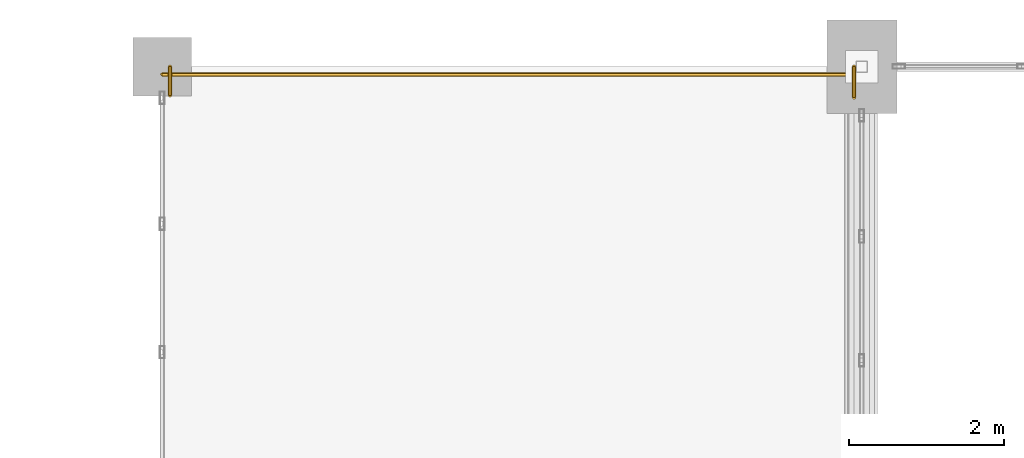
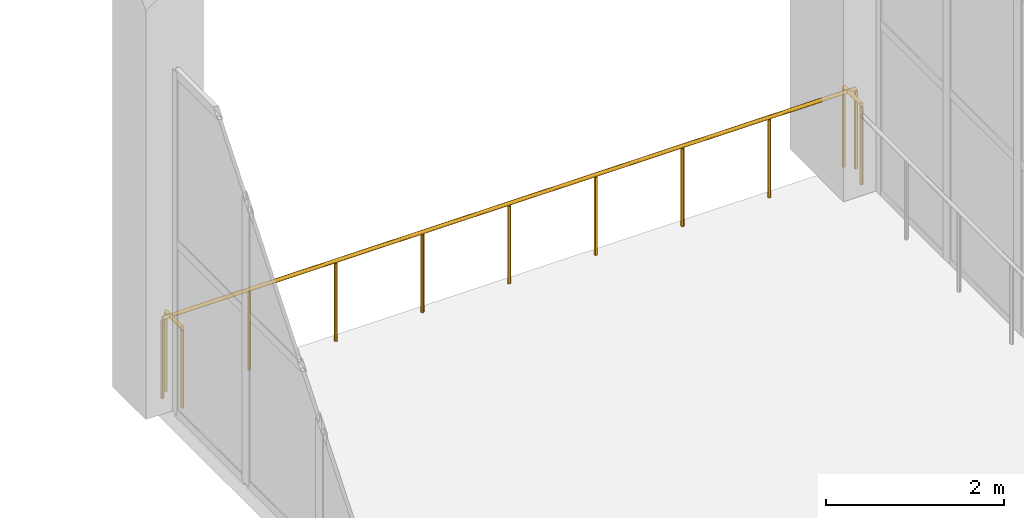
# One storey, part 222 of 223: 3 railings.
"""IFC4 building model written with IfcOpenShell, lengths in metres."""

import ifcopenshell
import ifcopenshell.guid

model = None  # the IFC model being written
_history = None  # IfcOwnerHistory: only IFC2X3 demands one
_inside = {}  # id of a spatial element -> (the spatial element, [elements in it])
_under = {}  # id of a project, library or spatial element -> (it, [spatial elements below it])
_declared = {}  # id of a project -> (the project, [libraries it declares])
_typed = {}  # id of a type object -> (the type object, [elements of that type])
_made_of = {}  # id of a material, layer set ... -> (it, [elements and type objects made of it])


def new_model(schema):
    """Start an empty IFC model of exactly this schema.

    Asked for "IFC4X3", IfcOpenShell would pick the latest addendum, in which some entities
    have other attributes; the version numbers below select the first issue.
    IFC2X3 requires an IfcOwnerHistory on every rooted entity: one is made here for all.
    """
    global model, _history
    if schema == "IFC4X3":
        model = ifcopenshell.file(schema_version=(4, 3, 0, 0))
    else:
        model = ifcopenshell.file(schema=schema)
    _inside.clear()
    _under.clear()
    _declared.clear()
    _typed.clear()
    _made_of.clear()
    _history = None
    if model.schema == "IFC2X3":
        org = make("IfcOrganization", Name="unknown")
        user = make(
            "IfcPersonAndOrganization",
            ThePerson=make("IfcPerson", FamilyName="unknown"),
            TheOrganization=org,
        )
        app = make(
            "IfcApplication",
            ApplicationDeveloper=org,
            Version="unknown",
            ApplicationFullName="unknown",
            ApplicationIdentifier="unknown",
        )
        _history = make(
            "IfcOwnerHistory",
            OwningUser=user,
            OwningApplication=app,
            ChangeAction="ADDED",
            CreationDate=0,
        )
    return model


def make(cls, **values):
    """One entity of the class cls with the attributes given. An attribute that is None is left unset."""
    return model.create_entity(
        cls, **{name: value for name, value in values.items() if value is not None}
    )


def rooted(cls, **values):
    """An entity with a GlobalId (a new one), such as an element, a storey or a relation."""
    return make(cls, GlobalId=ifcopenshell.guid.new(), OwnerHistory=_history, **values)


def si_unit(unit_type, name, prefix=None):
    """IfcSIUnit, for example si_unit("LENGTHUNIT", "METRE", prefix="MILLI")."""
    return make("IfcSIUnit", UnitType=unit_type, Prefix=prefix, Name=name)


def assignment(units):
    """IfcUnitAssignment: the units of a project."""
    return None if units is None else make("IfcUnitAssignment", Units=units)


def point(xyz):
    """IfcCartesianPoint."""
    return None if xyz is None else make("IfcCartesianPoint", Coordinates=xyz)


def direction(xyz):
    """IfcDirection."""
    return None if xyz is None else make("IfcDirection", DirectionRatios=xyz)


def frame(location, z_axis=None, x_axis=None):
    """IfcAxis2Placement3D, a coordinate frame: its origin and axes. An axis left out is left unset."""
    return make(
        "IfcAxis2Placement3D",
        Location=point(location),
        Axis=direction(z_axis),
        RefDirection=direction(x_axis),
    )


def frame_2d(location, x_axis=None):
    """IfcAxis2Placement2D, a coordinate frame in the plane: its origin and x axis."""
    return make(
        "IfcAxis2Placement2D", Location=point(location), RefDirection=direction(x_axis)
    )


def origin():
    """The frame at (0, 0, 0) with its axes left unset."""
    return frame((0.0, 0.0, 0.0))


def origin_2d():
    """The frame at (0, 0) in the plane with its x axis left unset."""
    return frame_2d((0.0, 0.0))


def place(relative_to, where):
    """IfcLocalPlacement: puts the frame where relative to a parent placement (None: the world)."""
    return make(
        "IfcLocalPlacement", PlacementRelTo=relative_to, RelativePlacement=where
    )


def context(
    kind, dimensions, precision=None, world=None, true_north=None, identifier=None
):
    """IfcGeometricRepresentationContext, for example the 3D "Model" context."""
    return make(
        "IfcGeometricRepresentationContext",
        ContextIdentifier=identifier,
        ContextType=kind,
        CoordinateSpaceDimension=dimensions,
        Precision=precision,
        WorldCoordinateSystem=world,
        TrueNorth=true_north,
    )


def subcontext(parent, identifier, kind, view, scale=None):
    """IfcGeometricRepresentationSubContext, for example "Body" below "Model"."""
    return make(
        "IfcGeometricRepresentationSubContext",
        ContextIdentifier=identifier,
        ContextType=kind,
        ParentContext=parent,
        TargetScale=scale,
        TargetView=view,
    )


def project(units=None, contexts=None):
    """IfcProject with its units and contexts."""
    return rooted(
        "IfcProject",
        Name="project",
        RepresentationContexts=contexts,
        UnitsInContext=assignment(units),
    )


def spatial(cls, under=None, at=None, **own):
    """A site, building, storey or space (cls), placed at a placement, below another one or the project."""
    s = rooted(cls, ObjectPlacement=at, **own)
    if under is not None:
        _under.setdefault(under.id(), (under, []))[1].append(s)
    return s


def profile(cls, at=None, kind="AREA", **sizes):
    """A parametric profile (cls). Its sizes go by their IFC names, for example OverallWidth=200.0."""
    return make(cls, ProfileType=kind, Position=at, **sizes)


def circle(**sizes):
    """IfcCircleProfileDef."""
    return profile("IfcCircleProfileDef", **sizes)


def extrude(swept, where, along, depth):
    """IfcExtrudedAreaSolid: the profile swept, set in the frame where, extruded along a direction by depth."""
    return make(
        "IfcExtrudedAreaSolid",
        SweptArea=swept,
        Position=where,
        ExtrudedDirection=direction(along),
        Depth=depth,
    )


def shape(context_of_items, identifier, shape_type, items):
    """IfcShapeRepresentation: the items that make up one representation, for example the "Body"."""
    return make(
        "IfcShapeRepresentation",
        ContextOfItems=context_of_items,
        RepresentationIdentifier=identifier,
        RepresentationType=shape_type,
        Items=items,
    )


def material(Name=None, Category=None):
    """IfcMaterial."""
    return make("IfcMaterial", Name=Name, Category=Category)


def made_of(thing, what):
    """Note that an element or type object is made of a material, layer set ...; save() writes the relation."""
    if what is not None:
        _made_of.setdefault(what.id(), (what, []))[1].append(thing)
    return thing


def type_object(cls, material=None, **own):
    """A type object (cls), such as IfcWallType, which elements share."""
    return made_of(rooted(cls, **own), material)


def element(
    cls,
    number,
    at=None,
    inside=None,
    cuts=None,
    type_object=None,
    material=None,
    context=None,
    identifier="Body",
    shape_type=None,
    held_by="IfcProductDefinitionShape",
    body=None,
    shapes=None,
    **own,
):
    """One element of the class cls, such as IfcWall. Its Tag is "e" and its number.

    at: its placement. inside: the storey or other place that contains it. cuts: it is an
    opening in that element (IfcRelVoidsElement). A single representation is given by context,
    identifier, shape_type and body (its items); several are given by shapes. held_by: the class
    of the entity that holds the representations. save() writes the other relations.
    """
    e = rooted(cls, Tag="e%d" % number, ObjectPlacement=at, **own)
    if body is not None:
        shapes = [shape(context, identifier, shape_type, body)]
    if shapes is not None:
        e.Representation = make(held_by, Representations=shapes)
    if inside is not None:
        _inside.setdefault(inside.id(), (inside, []))[1].append(e)
    if cuts is not None:
        rooted(
            "IfcRelVoidsElement", RelatingBuildingElement=cuts, RelatedOpeningElement=e
        )
    if type_object is not None:
        _typed.setdefault(type_object.id(), (type_object, []))[1].append(e)
    return made_of(e, material)


def aggregate(whole, parts):
    """IfcRelAggregates: a whole, such as a stair, and the parts it consists of."""
    return rooted("IfcRelAggregates", RelatingObject=whole, RelatedObjects=parts)


def save(model, path):
    """Write the relations noted so far, then the file.

    IfcRelAggregates (storeys below a building ...), IfcRelContainedInSpatialStructure (elements
    in a storey), IfcRelDefinesByType, IfcRelAssociatesMaterial and IfcRelDeclares: one each for
    every whole, place, type object, material and project.
    """
    for whole, parts in _under.values():
        aggregate(whole, parts)
    for where, things in _inside.values():
        rooted(
            "IfcRelContainedInSpatialStructure",
            RelatedElements=things,
            RelatingStructure=where,
        )
    for kind, things in _typed.values():
        rooted("IfcRelDefinesByType", RelatedObjects=things, RelatingType=kind)
    for what, things in _made_of.values():
        rooted("IfcRelAssociatesMaterial", RelatedObjects=things, RelatingMaterial=what)
    for by, libraries in _declared.values():
        rooted("IfcRelDeclares", RelatingContext=by, RelatedDefinitions=libraries)
    model.write(path)


model = new_model("IFC4")

# Units and contexts
model_context = context("Model", 3, precision=1e-05, world=origin(), true_north=direction((0.0, 1.0)))
body_context = subcontext(model_context, "Body", "Model", "MODEL_VIEW")
ifc_project = project(units=[si_unit("LENGTHUNIT", "METRE"), si_unit("AREAUNIT", "SQUARE_METRE"), si_unit("VOLUMEUNIT", "CUBIC_METRE"), si_unit("PLANEANGLEUNIT", "RADIAN"), si_unit("MASSUNIT", "GRAM", prefix="KILO")], contexts=[model_context])

# Site, building, storey
site_placement = place(None, origin())
site = spatial("IfcSite", under=ifc_project, at=site_placement, CompositionType="ELEMENT")
building_placement = place(site_placement, origin())
building = spatial("IfcBuilding", under=site, at=building_placement, Name="Dornveld Trade and Exhibition Forum", CompositionType="ELEMENT")
storey_placement = place(building_placement, frame((0.0, 0.0, 6.0)))
storey = spatial("IfcBuildingStorey", under=building, at=storey_placement, Name="L01", CompositionType="ELEMENT", Elevation=6.0)

# Railings
ifc_material = material(Name="Dark-bronze steel and laminated glass balustrade", Category="steel")
railing_type = type_object("IfcRailingType", Name="RL-BALUST-CONC", PredefinedType="BALUSTRADE", material=ifc_material)
railing_1_placement = place(storey_placement, frame((90.10009765625, 161.62890625, 0.0)))
element("IfcRailing", 1, at=railing_1_placement, inside=storey, type_object=railing_type, Name="L01 deck edge balustrade 16", PredefinedType="BALUSTRADE", context=body_context, shape_type="SweptSolid", body=[
    extrude(circle(Radius=0.02490234375, at=origin_2d()), frame((0.0, 0.0, 1.09521484375), z_axis=(0.0, 1.0, 0.0), x_axis=(-1.0, 0.0, 0.0)), (0.0, 0.0, 1.0), 0.37109375),
    extrude(circle(Radius=0.02099609375, at=origin_2d()), origin(), (0.0, 0.0, 1.0), 1.070068359375),
    extrude(circle(Radius=0.02099609375, at=origin_2d()), frame((0.0, 0.37109375, 0.0)), (0.0, 0.0, 1.0), 1.070068359375),
])
railing_2_placement = place(storey_placement, frame((90.0, 161.89990234375, 0.0)))
element("IfcRailing", 2, at=railing_2_placement, inside=storey, type_object=railing_type, Name="L01 deck edge balustrade 17", PredefinedType="BALUSTRADE", context=body_context, shape_type="SweptSolid", body=[
    extrude(circle(Radius=0.02490234375, at=origin_2d()), frame((0.0, 0.0, 1.09521484375), z_axis=(1.0, 0.0, 0.0), x_axis=(0.0, 1.0, 0.0)), (0.0, 0.0, 1.0), 9.0),
    extrude(circle(Radius=0.02099609375, at=origin_2d()), origin(), (0.0, 0.0, 1.0), 1.070068359375),
    extrude(circle(Radius=0.02099609375, at=origin_2d()), frame((1.125, 0.0, 0.0)), (0.0, 0.0, 1.0), 1.070068359375),
    extrude(circle(Radius=0.02099609375, at=origin_2d()), frame((2.25, 0.0, 0.0)), (0.0, 0.0, 1.0), 1.070068359375),
    extrude(circle(Radius=0.02099609375, at=origin_2d()), frame((3.375, 0.0, 0.0)), (0.0, 0.0, 1.0), 1.070068359375),
    extrude(circle(Radius=0.02099609375, at=origin_2d()), frame((4.5, 0.0, 0.0)), (0.0, 0.0, 1.0), 1.070068359375),
    extrude(circle(Radius=0.02099609375, at=origin_2d()), frame((5.625, 0.0, 0.0)), (0.0, 0.0, 1.0), 1.070068359375),
    extrude(circle(Radius=0.02099609375, at=origin_2d()), frame((6.75, 0.0, 0.0)), (0.0, 0.0, 1.0), 1.070068359375),
    extrude(circle(Radius=0.02099609375, at=origin_2d()), frame((7.875, 0.0, 0.0)), (0.0, 0.0, 1.0), 1.070068359375),
    extrude(circle(Radius=0.02099609375, at=origin_2d()), frame((9.0, 0.0, 0.0)), (0.0, 0.0, 1.0), 1.070068359375),
])
railing_3_placement = place(storey_placement, frame((98.89990234375, 162.0, 0.0)))
element("IfcRailing", 3, at=railing_3_placement, inside=storey, type_object=railing_type, Name="L01 deck edge balustrade 18", PredefinedType="BALUSTRADE", context=body_context, shape_type="SweptSolid", body=[
    extrude(circle(Radius=0.02490234375, at=origin_2d()), frame((0.0, 0.0, 1.09521484375), z_axis=(0.0, -1.0, 0.0), x_axis=(1.0, 0.0, 0.0)), (0.0, 0.0, 1.0), 0.39990234375),
    extrude(circle(Radius=0.02099609375, at=origin_2d()), origin(), (0.0, 0.0, 1.0), 1.070068359375),
    extrude(circle(Radius=0.02099609375, at=origin_2d()), frame((0.0, -0.39990234375, 0.0)), (0.0, 0.0, 1.0), 1.070068359375),
])

save(model, "model.ifc")
